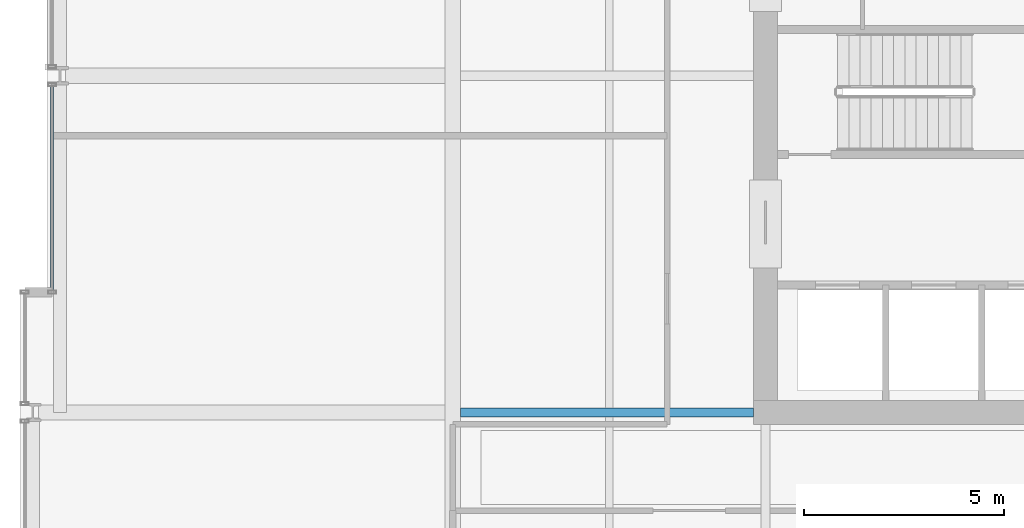
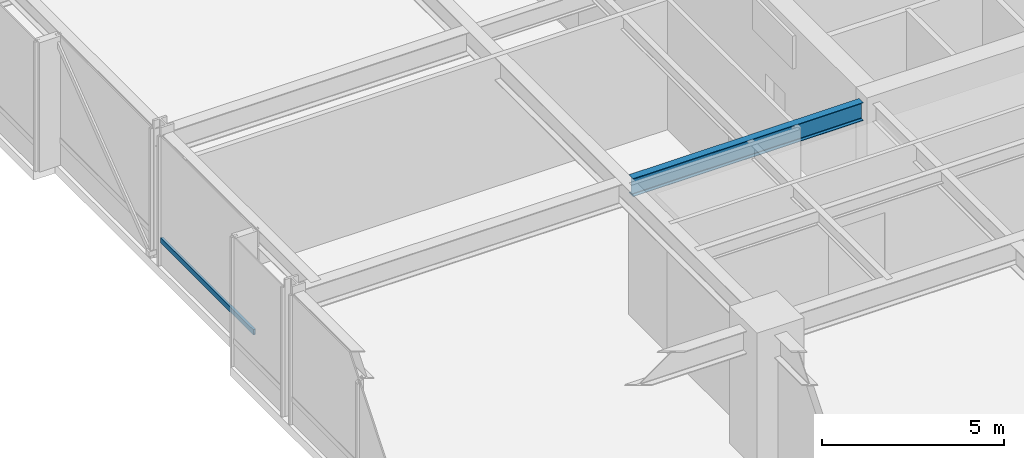
# One storey, part 8 of 33: 1 beam, 1 member, 1 element without a shape of its own.
"""IFC4 building model written with IfcOpenShell, lengths in metres."""

from ifc_helpers import new_model, si_unit, direction, frame, origin, origin_2d, place, context, subcontext, project, spatial, hollow_rectangle, i_section, extrude, material, layer, layer_set, material_profile, profile_set, type_object, element, aggregate, save


model = new_model("IFC4")

# Units and contexts
model_context = context("Model", 3, precision=1e-05, world=origin(), true_north=direction((0.0, 1.0)))
body_context = subcontext(model_context, "Body", "Model", "MODEL_VIEW")
ifc_project = project(units=[si_unit("LENGTHUNIT", "METRE"), si_unit("AREAUNIT", "SQUARE_METRE"), si_unit("VOLUMEUNIT", "CUBIC_METRE"), si_unit("PLANEANGLEUNIT", "RADIAN"), si_unit("MASSUNIT", "GRAM", prefix="KILO")], contexts=[model_context])

# Site, building, storey
site_placement = place(None, origin())
site = spatial("IfcSite", under=ifc_project, at=site_placement, CompositionType="ELEMENT")
building_placement = place(site_placement, origin())
building = spatial("IfcBuilding", under=site, at=building_placement, Name="Drelvath Grand Hotel", CompositionType="ELEMENT")
storey_placement = place(building_placement, frame((0.0, 0.0, 87.199951171875)))
storey = spatial("IfcBuildingStorey", under=building, at=storey_placement, Name="L21", CompositionType="ELEMENT", Elevation=87.199951171875)

# Curtain wall, member
ifc_material_1 = material(Name="Champagne Bronze Anodised Aluminium Frame", Category="aluminium")
ifc_layer = layer(ifc_material_1, 0.199951171875)
ifc_layer_set = layer_set([ifc_layer], Name="Champagne Bronze Anodised Aluminium Frame")
curtain_wall_type = type_object("IfcCurtainWallType", Name="Stick Curtain Wall CW-03 Champagne Bronze Mid-Rise", PredefinedType="NOTDEFINED", material=ifc_layer_set)
curtain_wall_placement = place(storey_placement, origin())
curtain_wall = element("IfcCurtainWall", 1, at=curtain_wall_placement, inside=storey, type_object=curtain_wall_type, Name="L21 CW-03 Curtain Wall CW03-L21-WM1", PredefinedType="NOTDEFINED")
ifc_material_profile_1 = material_profile(ifc_material_1, hollow_rectangle(XDim=0.074951171875, YDim=0.179931640625, WallThickness=0.0048828125, at=origin_2d()), Name="HSS180X75X5")
ifc_profile_set_1 = profile_set([ifc_material_profile_1], Name="Champagne Bronze Anodised Aluminium Frame")
member_type = type_object("IfcMemberType", Name="Curtain Wall Horizontal Transom CW-03 HSS180X75X5", PredefinedType="USERDEFINED", material=ifc_profile_set_1)
member_placement = place(storey_placement, frame((-26.199951171875, 21.639892578125, 0.85009765625), z_axis=(0.0, 1.0, 0.0), x_axis=(-1.0, 0.0, 0.0)))
member = element("IfcMember", 2, at=member_placement, type_object=member_type, Name="CW03-L21-WM1 Sill Transom", ObjectType="TRANSOM", PredefinedType="USERDEFINED", context=body_context, shape_type="SweptSolid", body=[
    extrude(hollow_rectangle(XDim=0.074951171875, YDim=0.179931640625, WallThickness=0.0048828125, at=origin_2d()), origin(), (0.0, 0.0, 1.0), 5.1005859375),
])
aggregate(curtain_wall, [member])

# Beam
ifc_material_2 = material(Name="Steel ASTM A992 Gr 50", Category="steel")
ifc_material_profile_2 = material_profile(ifc_material_2, i_section(OverallWidth=0.228271484375, OverallDepth=0.607666015625, WebThickness=0.01123046875, FlangeThickness=0.017333984375, FilletRadius=0.02001953125, at=origin_2d()), Name="W24X76")
ifc_profile_set_2 = profile_set([ifc_material_profile_2], Name="Steel ASTM A992 Gr 50")
beam_type = type_object("IfcBeamType", Name="Primary Floor Girder W24X76", PredefinedType="BEAM", material=ifc_profile_set_2)
beam_placement = place(storey_placement, frame((-16.009765625, 18.60009765625, 4.0361328125), z_axis=(1.0, 0.0, 0.0), x_axis=(0.0, 1.0, 0.0)))
element("IfcBeam", 3, at=beam_placement, inside=storey, type_object=beam_type, Name="L21 West Core Tie D", PredefinedType="BEAM", context=body_context, shape_type="SweptSolid", body=[
    extrude(i_section(OverallWidth=0.228271484375, OverallDepth=0.607666015625, WebThickness=0.01123046875, FlangeThickness=0.017333984375, FilletRadius=0.02001953125, at=origin_2d()), origin(), (0.0, 0.0, 1.0), 7.309814453125),
])

save(model, "model.ifc")
